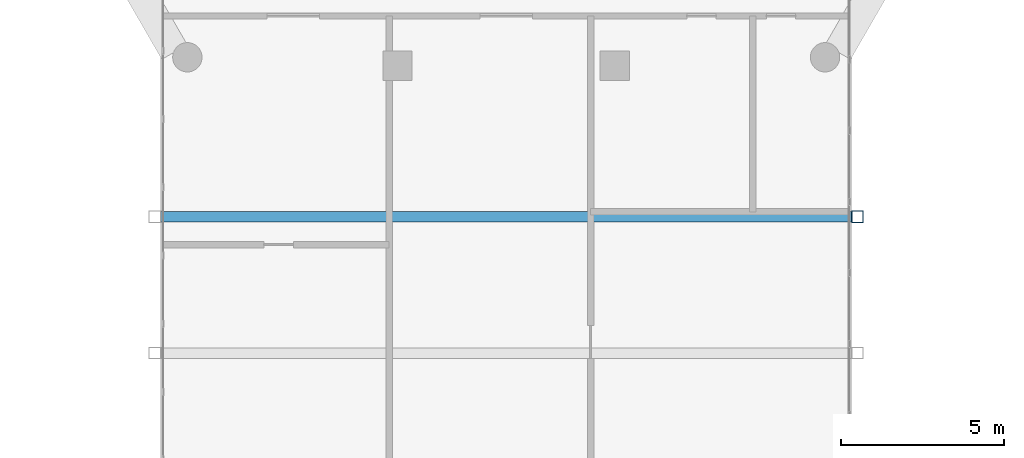
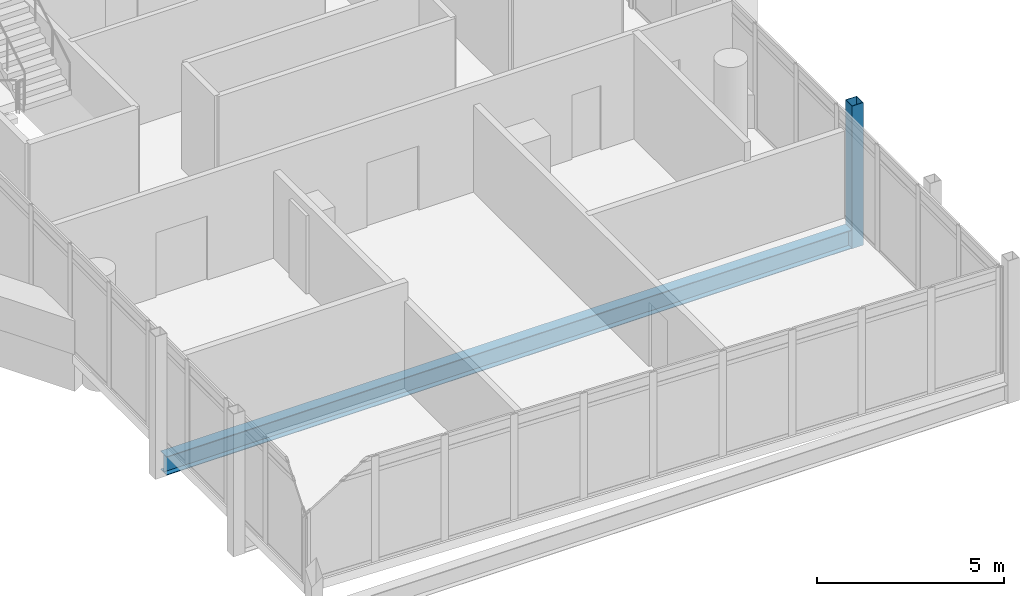
# One storey, part 7 of 25: 1 beam, 1 member.
"""IFC4 building model written with IfcOpenShell, lengths in metres."""

from ifc_helpers import new_model, si_unit, direction, frame, origin, origin_2d, place, context, subcontext, project, spatial, hollow_rectangle, i_section, extrude, material, material_profile, profile_set, type_object, element, save


model = new_model("IFC4")

# Units and contexts
model_context = context("Model", 3, precision=1e-05, world=origin(), true_north=direction((0.0, 1.0)))
body_context = subcontext(model_context, "Body", "Model", "MODEL_VIEW")
ifc_project = project(units=[si_unit("LENGTHUNIT", "METRE"), si_unit("AREAUNIT", "SQUARE_METRE"), si_unit("VOLUMEUNIT", "CUBIC_METRE"), si_unit("PLANEANGLEUNIT", "RADIAN"), si_unit("MASSUNIT", "GRAM", prefix="KILO")], contexts=[model_context])

# Site, building, storey
site_placement = place(None, origin())
site = spatial("IfcSite", under=ifc_project, at=site_placement, CompositionType="ELEMENT")
building_placement = place(site_placement, origin())
building = spatial("IfcBuilding", under=site, at=building_placement, Name="Ostrander Bayou Hotel Tower", CompositionType="ELEMENT")
storey_placement = place(building_placement, frame((0.0, 0.0, 233.25)))
storey = spatial("IfcBuildingStorey", under=building, at=storey_placement, Name="L58", CompositionType="ELEMENT", Elevation=233.25)

# Beam
ifc_material_1 = material(Name="Steel ASTM A992", Category="steel")
ifc_material_profile_1 = material_profile(ifc_material_1, i_section(OverallWidth=0.32373046875, OverallDepth=0.611083984375, WebThickness=0.0126953125, FlangeThickness=0.01904296875, at=origin_2d()))
ifc_profile_set_1 = profile_set([ifc_material_profile_1], Name="Steel ASTM A992")
beam_type = type_object("IfcBeamType", Name="TF2 bar floor beam W24x104", PredefinedType="BEAM", material=ifc_profile_set_1)
beam_placement = place(storey_placement, frame((-10.587158203125, -21.147705078125, -0.605712890625), z_axis=(1.0, 0.0, 0.0), x_axis=(0.0, 1.0, 0.0)))
element("IfcBeam", 1, at=beam_placement, inside=storey, type_object=beam_type, Name="TF2 SB5S L4-1", PredefinedType="BEAM", context=body_context, shape_type="SweptSolid", body=[
    extrude(i_section(OverallWidth=0.32373046875, OverallDepth=0.611083984375, WebThickness=0.0126953125, FlangeThickness=0.01904296875, at=origin_2d()), origin(), (0.0, 0.0, 1.0), 21.17431640625),
])

# Member
ifc_material_2 = material(Name="Steel ASTM A500 Gr C", Category="steel")
ifc_material_profile_2 = material_profile(ifc_material_2, hollow_rectangle(XDim=0.355712890625, YDim=0.355712890625, WallThickness=0.0146484375, at=origin_2d()))
ifc_profile_set_2 = profile_set([ifc_material_profile_2], Name="Steel ASTM A500 Gr C")
member_type = type_object("IfcMemberType", Name="TH1 bar hanger HSS14x14x5/8", PredefinedType="POST", material=ifc_profile_set_2)
member_placement = place(storey_placement, frame((10.764892578125, -21.147705078125, -0.9111328125), z_axis=(0.0, 0.0, 1.0), x_axis=(1.0, 0.0, 0.0)))
element("IfcMember", 2, at=member_placement, inside=storey, type_object=member_type, Name="TH1 SB5SB H1-4", PredefinedType="POST", context=body_context, shape_type="SweptSolid", body=[
    extrude(hollow_rectangle(XDim=0.355712890625, YDim=0.355712890625, WallThickness=0.0146484375, at=origin_2d()), origin(), (0.0, 0.0, 1.0), 4.6611328125),
])

save(model, "model.ifc")
